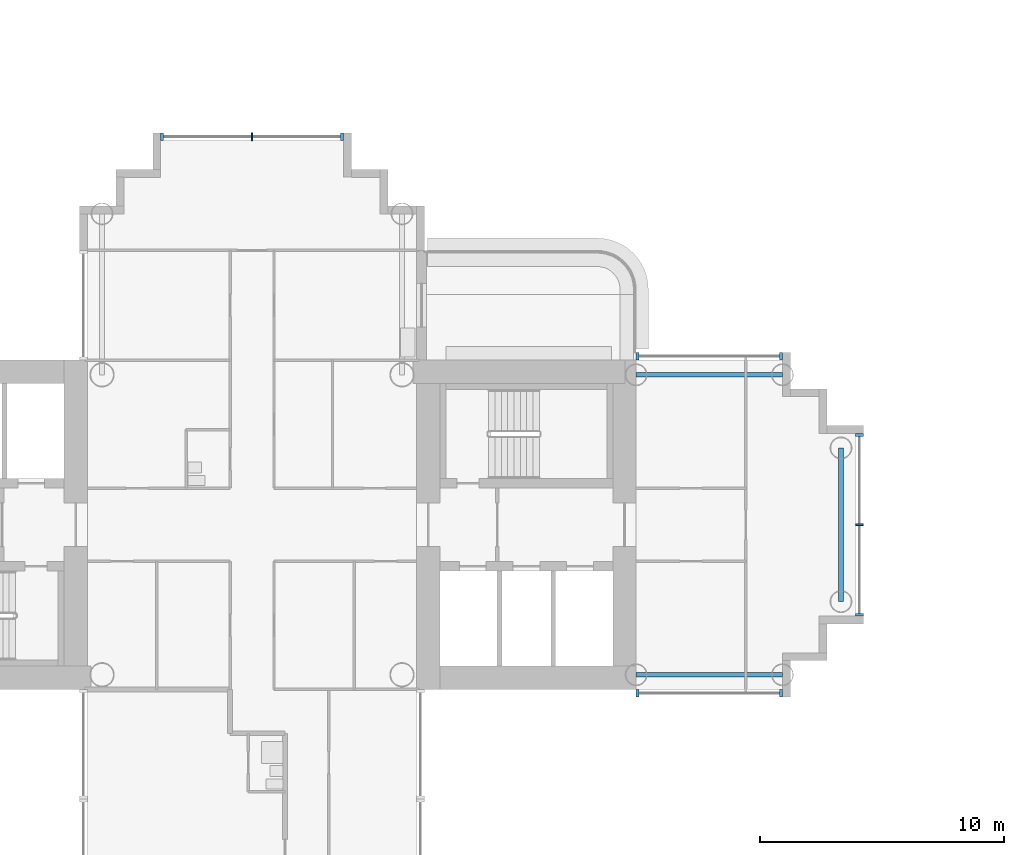
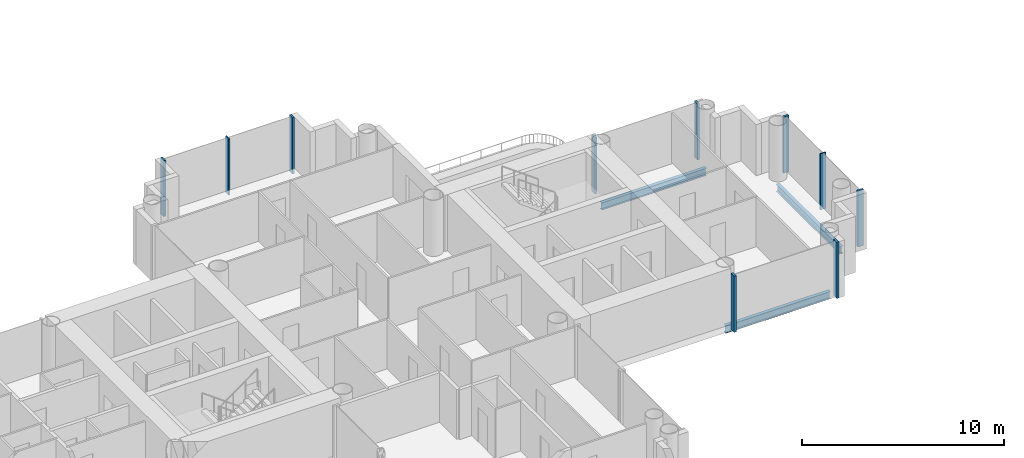
# One storey, part 4 of 21: 10 members, 3 beams, 4 elements without a shape of their own.
"""IFC4 building model written with IfcOpenShell, lengths in metres."""

from ifc_helpers import new_model, si_unit, direction, frame, origin, origin_2d, place, context, subcontext, project, spatial, rectangle, i_section, extrude, material, layer, layer_set, material_profile, profile_set, type_object, element, aggregate, save


model = new_model("IFC4")

# Units and contexts
model_context = context("Model", 3, precision=1e-05, world=origin(), true_north=direction((0.0, 1.0)))
body_context = subcontext(model_context, "Body", "Model", "MODEL_VIEW")
ifc_project = project(units=[si_unit("LENGTHUNIT", "METRE"), si_unit("AREAUNIT", "SQUARE_METRE"), si_unit("VOLUMEUNIT", "CUBIC_METRE"), si_unit("PLANEANGLEUNIT", "RADIAN"), si_unit("MASSUNIT", "GRAM", prefix="KILO")], contexts=[model_context])

# Site, building, storey
site_placement = place(None, origin())
site = spatial("IfcSite", under=ifc_project, at=site_placement, CompositionType="ELEMENT")
building_placement = place(site_placement, origin())
building = spatial("IfcBuilding", under=site, at=building_placement, Name="Ipe Terrace Towers", CompositionType="ELEMENT")
storey_placement = place(building_placement, frame((0.0, 0.0, 83.39990234375)))
storey = spatial("IfcBuildingStorey", under=building, at=storey_placement, Name="L22", CompositionType="ELEMENT", Elevation=83.39990234375)

# Beams
ifc_material_1 = material(Name="Steel S355", Category="steel")
ifc_material_profile_1 = material_profile(ifc_material_1, i_section(OverallWidth=0.199951171875, OverallDepth=0.449951171875, WebThickness=0.009033203125, FlangeThickness=0.013916015625, at=origin_2d()), Name="H-450x200x9x14")
ifc_profile_set_1 = profile_set([ifc_material_profile_1], Name="Steel S355")
beam_type = type_object("IfcBeamType", Name="H08 EDGE BEAM H-450x200x9x14", PredefinedType="BEAM", material=ifc_profile_set_1)
for number, where, z_axis, x_axis, name in (
    (1, (-20.25, -6.14990234375, -0.625), (1.0, 0.0, 0.0), (0.0, 1.0, 0.0), "Edge beam T1-EB-A01-A03"),
    (2, (-20.25, 6.14990234375, -0.625), (1.0, 0.0, 0.0), (0.0, 1.0, 0.0), "Edge beam T1-EB-A02-A04"),
):
    element("IfcBeam", number, at=place(storey_placement, frame(where, z_axis=z_axis, x_axis=x_axis)), inside=storey, type_object=beam_type, Name=name, PredefinedType="BEAM", context=body_context, shape_type="SweptSolid", body=[
        extrude(i_section(OverallWidth=0.199951171875, OverallDepth=0.449951171875, WebThickness=0.009033203125, FlangeThickness=0.013916015625, at=origin_2d()), origin(), (0.0, 0.0, 1.0), 6.0),
    ])
beam_placement = place(storey_placement, frame((-11.85009765625, -3.14990234375, -0.625), z_axis=(0.0, 1.0, 0.0), x_axis=(-1.0, 0.0, 0.0)))
element("IfcBeam", 3, at=beam_placement, inside=storey, type_object=beam_type, Name="Edge beam T1-EB-A05-A06", PredefinedType="BEAM", context=body_context, shape_type="SweptSolid", body=[
    extrude(i_section(OverallWidth=0.199951171875, OverallDepth=0.449951171875, WebThickness=0.009033203125, FlangeThickness=0.013916015625, at=origin_2d()), origin(), (0.0, 0.0, 1.0), 6.2998046875),
])

# Curtain wall, members
ifc_material_2 = material(Name="Aluminium alloy 6063-T6", Category="aluminium")
ifc_layer = layer(ifc_material_2, 0.320068359375)
ifc_layer_set = layer_set([ifc_layer], Name="TOWER UNITISED CURTAIN WALL")
curtain_wall_type = type_object("IfcCurtainWallType", Name="TOWER UNITISED CURTAIN WALL", PredefinedType="NOTDEFINED", material=ifc_layer_set)
curtain_wall_1_placement = place(storey_placement, origin())
curtain_wall_1 = element("IfcCurtainWall", 4, at=curtain_wall_1_placement, inside=storey, type_object=curtain_wall_type, Name="T1-CW-L22-20b curtain wall", PredefinedType="NOTDEFINED")
ifc_material_3 = material(Name="Aluminium alloy 6063-T6", Category="aluminium")
ifc_material_profile_2 = material_profile(ifc_material_3, rectangle(XDim=0.320068359375, YDim=0.1201171875, at=origin_2d()), Name="TOWER UNITISED CORNER MULLION 320 x 120")
ifc_profile_set_2 = profile_set([ifc_material_profile_2], Name="Aluminium alloy 6063-T6")
member_type_1 = type_object("IfcMemberType", Name="TOWER UNITISED CORNER MULLION 320 x 120", PredefinedType="MULLION", material=ifc_profile_set_2)
member_1_placement = place(storey_placement, frame((-20.18896484375, -6.909912109375, -0.2998046875), z_axis=(0.0, 0.0, 1.0), x_axis=(0.0, -1.0, 0.0)))
member_1 = element("IfcMember", 5, at=member_1_placement, type_object=member_type_1, Name="T1-CW-L22-20b mullion 1", PredefinedType="MULLION", context=body_context, shape_type="SweptSolid", body=[
    extrude(rectangle(XDim=0.320068359375, YDim=0.1201171875, at=origin_2d()), origin(), (0.0, 0.0, 1.0), 3.39990234375),
])
member_2_placement = place(storey_placement, frame((-14.31005859375, -6.909912109375, -0.2998046875), z_axis=(0.0, 0.0, 1.0), x_axis=(0.0, -1.0, 0.0)))
member_2 = element("IfcMember", 6, at=member_2_placement, type_object=member_type_1, Name="T1-CW-L22-20b mullion 2", PredefinedType="MULLION", context=body_context, shape_type="SweptSolid", body=[
    extrude(rectangle(XDim=0.320068359375, YDim=0.1201171875, at=origin_2d()), origin(), (0.0, 0.0, 1.0), 3.39990234375),
])
aggregate(curtain_wall_1, [member_1, member_2])

curtain_wall_2_placement = place(storey_placement, origin())
curtain_wall_2 = element("IfcCurtainWall", 7, at=curtain_wall_2_placement, inside=storey, type_object=curtain_wall_type, Name="T1-CW-L22-25a curtain wall", PredefinedType="NOTDEFINED")
member_3_placement = place(storey_placement, frame((-11.090087890625, -3.68994140625, -0.2998046875), z_axis=(0.0, 0.0, 1.0), x_axis=(1.0, 0.0, 0.0)))
member_3 = element("IfcMember", 8, at=member_3_placement, type_object=member_type_1, Name="T1-CW-L22-25a mullion 1", PredefinedType="MULLION", context=body_context, shape_type="SweptSolid", body=[
    extrude(rectangle(XDim=0.320068359375, YDim=0.1201171875, at=origin_2d()), origin(), (0.0, 0.0, 1.0), 3.39990234375),
])
member_4_placement = place(storey_placement, frame((-11.090087890625, 3.68994140625, -0.2998046875), z_axis=(0.0, 0.0, 1.0), x_axis=(1.0, 0.0, 0.0)))
member_4 = element("IfcMember", 9, at=member_4_placement, type_object=member_type_1, Name="T1-CW-L22-25a mullion 3", PredefinedType="MULLION", context=body_context, shape_type="SweptSolid", body=[
    extrude(rectangle(XDim=0.320068359375, YDim=0.1201171875, at=origin_2d()), origin(), (0.0, 0.0, 1.0), 3.39990234375),
])

curtain_wall_3_placement = place(storey_placement, origin())
curtain_wall_3 = element("IfcCurtainWall", 10, at=curtain_wall_3_placement, inside=storey, type_object=curtain_wall_type, Name="T1-CW-L22-30a curtain wall", PredefinedType="NOTDEFINED")
member_5_placement = place(storey_placement, frame((-14.31005859375, 6.909912109375, -0.2998046875), z_axis=(0.0, 0.0, 1.0), x_axis=(0.0, 1.0, 0.0)))
member_5 = element("IfcMember", 11, at=member_5_placement, type_object=member_type_1, Name="T1-CW-L22-30a mullion 1", PredefinedType="MULLION", context=body_context, shape_type="SweptSolid", body=[
    extrude(rectangle(XDim=0.320068359375, YDim=0.1201171875, at=origin_2d()), origin(), (0.0, 0.0, 1.0), 3.39990234375),
])
member_6_placement = place(storey_placement, frame((-20.18896484375, 6.909912109375, -0.2998046875), z_axis=(0.0, 0.0, 1.0), x_axis=(0.0, 1.0, 0.0)))
member_6 = element("IfcMember", 12, at=member_6_placement, type_object=member_type_1, Name="T1-CW-L22-30a mullion 2", PredefinedType="MULLION", context=body_context, shape_type="SweptSolid", body=[
    extrude(rectangle(XDim=0.320068359375, YDim=0.1201171875, at=origin_2d()), origin(), (0.0, 0.0, 1.0), 3.39990234375),
])
aggregate(curtain_wall_3, [member_5, member_6])

curtain_wall_4_placement = place(storey_placement, origin())
curtain_wall_4 = element("IfcCurtainWall", 13, at=curtain_wall_4_placement, inside=storey, type_object=curtain_wall_type, Name="T1-CW-L22-38a curtain wall", PredefinedType="NOTDEFINED")
member_7_placement = place(storey_placement, frame((-32.31005859375, 15.909912109375, -0.2998046875), z_axis=(0.0, 0.0, 1.0), x_axis=(0.0, 1.0, 0.0)))
member_7 = element("IfcMember", 14, at=member_7_placement, type_object=member_type_1, Name="T1-CW-L22-38a mullion 1", PredefinedType="MULLION", context=body_context, shape_type="SweptSolid", body=[
    extrude(rectangle(XDim=0.320068359375, YDim=0.1201171875, at=origin_2d()), origin(), (0.0, 0.0, 1.0), 3.39990234375),
])
member_8_placement = place(storey_placement, frame((-39.68994140625, 15.909912109375, -0.2998046875), z_axis=(0.0, 0.0, 1.0), x_axis=(0.0, 1.0, 0.0)))
member_8 = element("IfcMember", 15, at=member_8_placement, type_object=member_type_1, Name="T1-CW-L22-38a mullion 3", PredefinedType="MULLION", context=body_context, shape_type="SweptSolid", body=[
    extrude(rectangle(XDim=0.320068359375, YDim=0.1201171875, at=origin_2d()), origin(), (0.0, 0.0, 1.0), 3.39990234375),
])

# Member
ifc_material_4 = material(Name="Aluminium alloy 6063-T6", Category="aluminium")
ifc_material_profile_3 = material_profile(ifc_material_4, rectangle(XDim=0.320068359375, YDim=0.06494140625, at=origin_2d()), Name="TOWER UNITISED MULLION 320 x 65")
ifc_profile_set_3 = profile_set([ifc_material_profile_3], Name="Aluminium alloy 6063-T6")
member_type_2 = type_object("IfcMemberType", Name="TOWER UNITISED MULLION 320 x 65", PredefinedType="MULLION", material=ifc_profile_set_3)
member_9_placement = place(storey_placement, frame((-11.090087890625, 0.0, -0.2998046875), z_axis=(0.0, 0.0, 1.0), x_axis=(1.0, 0.0, 0.0)))
member_9 = element("IfcMember", 16, at=member_9_placement, type_object=member_type_2, Name="T1-CW-L22-25a mullion 2", PredefinedType="MULLION", context=body_context, shape_type="SweptSolid", body=[
    extrude(rectangle(XDim=0.320068359375, YDim=0.06494140625, at=origin_2d()), origin(), (0.0, 0.0, 1.0), 3.39990234375),
])

aggregate(curtain_wall_2, [member_3, member_9, member_4])

member_10_placement = place(storey_placement, frame((-36.0, 15.909912109375, -0.2998046875), z_axis=(0.0, 0.0, 1.0), x_axis=(0.0, 1.0, 0.0)))
member_10 = element("IfcMember", 17, at=member_10_placement, type_object=member_type_2, Name="T1-CW-L22-38a mullion 2", PredefinedType="MULLION", context=body_context, shape_type="SweptSolid", body=[
    extrude(rectangle(XDim=0.320068359375, YDim=0.06494140625, at=origin_2d()), origin(), (0.0, 0.0, 1.0), 3.39990234375),
])

aggregate(curtain_wall_4, [member_7, member_10, member_8])

save(model, "model.ifc")
